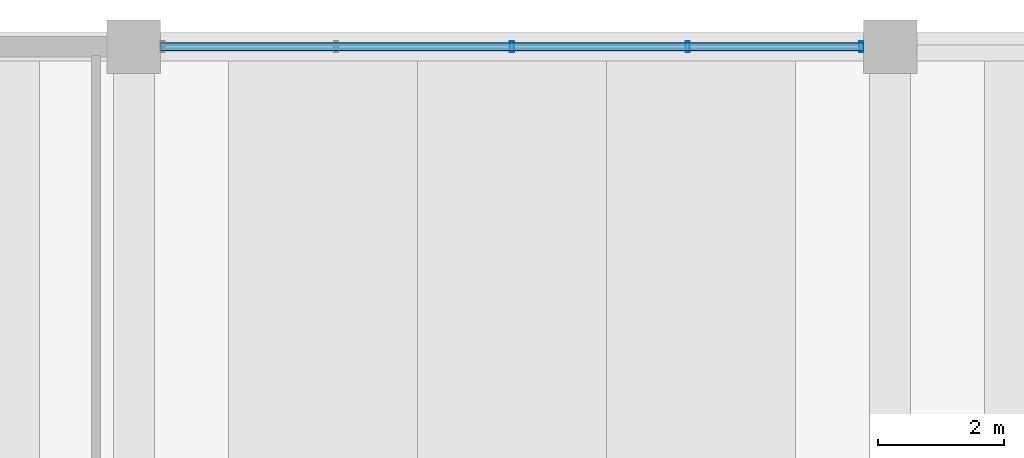
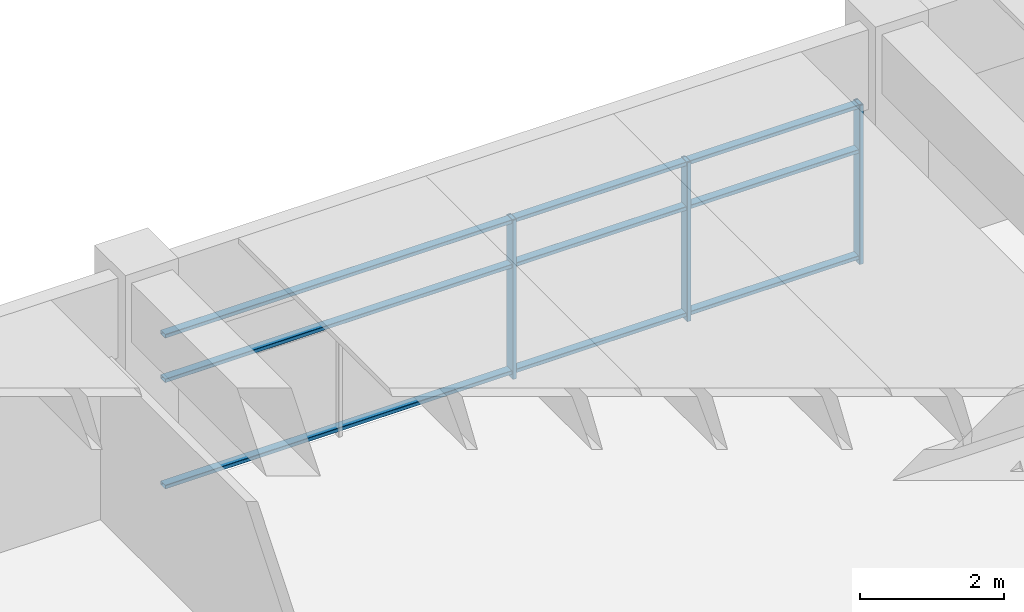
# One storey, part 19 of 50: 6 members, 1 element without a shape of its own.
"""IFC4 building model written with IfcOpenShell, lengths in metres."""

from ifc_helpers import new_model, si_unit, direction, frame, origin, origin_2d, place, context, subcontext, project, spatial, hollow_rectangle, extrude, material, material_profile, profile_set, type_object, element, aggregate, save


model = new_model("IFC4")

# Units and contexts
model_context = context("Model", 3, precision=1e-05, world=origin(), true_north=direction((0.0, 1.0)))
body_context = subcontext(model_context, "Body", "Model", "MODEL_VIEW")
ifc_project = project(units=[si_unit("LENGTHUNIT", "METRE"), si_unit("AREAUNIT", "SQUARE_METRE"), si_unit("VOLUMEUNIT", "CUBIC_METRE"), si_unit("PLANEANGLEUNIT", "RADIAN"), si_unit("MASSUNIT", "GRAM", prefix="KILO")], contexts=[model_context])

# Site, building, storey
site_placement = place(None, origin())
site = spatial("IfcSite", under=ifc_project, at=site_placement, CompositionType="ELEMENT")
building_placement = place(site_placement, origin())
building = spatial("IfcBuilding", under=site, at=building_placement, Name="Girod Span Mobility Hub", CompositionType="ELEMENT")
storey_placement = place(building_placement, frame((0.0, 0.0, 5.39990234375)))
storey = spatial("IfcBuildingStorey", under=building, at=storey_placement, Name="L01", CompositionType="ELEMENT", Elevation=5.39990234375)

# Curtain wall, members
ifc_material_1 = material(Name="Thermally Broken Anodised Aluminium", Category="aluminium")
curtain_wall_type = type_object("IfcCurtainWallType", Name="CW-1115X269", PredefinedType="USERDEFINED", material=ifc_material_1)
curtain_wall_placement = place(storey_placement, origin())
curtain_wall = element("IfcCurtainWall", 1, at=curtain_wall_placement, inside=storey, type_object=curtain_wall_type, Name="Concourse Storefront CW-L01-N06 L01", ObjectType="CONCOURSE STOREFRONT", PredefinedType="USERDEFINED")
ifc_material_2 = material(Name="Thermally Broken Anodised Aluminium", Category="aluminium")
ifc_material_profile_1 = material_profile(ifc_material_2, hollow_rectangle(XDim=0.179931640625, YDim=0.06494140625, WallThickness=0.00390625, InnerFilletRadius=0.00390625, OuterFilletRadius=0.008056640625, at=origin_2d()), Name="CW-ML-65X180")
ifc_profile_set_1 = profile_set([ifc_material_profile_1], Name="Thermally Broken Anodised Aluminium")
member_type_1 = type_object("IfcMemberType", Name="CWM-ML-2", PredefinedType="MULLION", material=ifc_profile_set_1)
member_1_placement = place(storey_placement, frame((66.0, 114.0, 0.0), z_axis=(0.0, 0.0, 1.0), x_axis=(0.0, 1.0, 0.0)))
member_1 = element("IfcMember", 2, at=member_1_placement, type_object=member_type_1, Name="Curtain Wall Mullion CW-L01-N06-M2", PredefinedType="MULLION", context=body_context, shape_type="SweptSolid", body=[
    extrude(hollow_rectangle(XDim=0.179931640625, YDim=0.06494140625, WallThickness=0.00390625, InnerFilletRadius=0.00390625, OuterFilletRadius=0.008056640625, at=origin_2d()), origin(), (0.0, 0.0, 1.0), 2.690185546875),
])
member_2_placement = place(storey_placement, frame((68.78857421875, 114.0, 0.0), z_axis=(0.0, 0.0, 1.0), x_axis=(0.0, 1.0, 0.0)))
member_2 = element("IfcMember", 3, at=member_2_placement, type_object=member_type_1, Name="Curtain Wall Mullion CW-L01-N06-M3", PredefinedType="MULLION", context=body_context, shape_type="SweptSolid", body=[
    extrude(hollow_rectangle(XDim=0.179931640625, YDim=0.06494140625, WallThickness=0.00390625, InnerFilletRadius=0.00390625, OuterFilletRadius=0.008056640625, at=origin_2d()), origin(), (0.0, 0.0, 1.0), 2.690185546875),
])
member_3_placement = place(storey_placement, frame((71.544921875, 114.0, 0.0), z_axis=(0.0, 0.0, 1.0), x_axis=(0.0, 1.0, 0.0)))
member_3 = element("IfcMember", 4, at=member_3_placement, type_object=member_type_1, Name="Curtain Wall Mullion CW-L01-N06-M4", PredefinedType="MULLION", context=body_context, shape_type="SweptSolid", body=[
    extrude(hollow_rectangle(XDim=0.179931640625, YDim=0.06494140625, WallThickness=0.00390625, InnerFilletRadius=0.00390625, OuterFilletRadius=0.008056640625, at=origin_2d()), origin(), (0.0, 0.0, 1.0), 2.690185546875),
])
ifc_material_3 = material(Name="Thermally Broken Anodised Aluminium", Category="aluminium")
ifc_material_profile_2 = material_profile(ifc_material_3, hollow_rectangle(XDim=0.135009765625, YDim=0.06494140625, WallThickness=0.00390625, InnerFilletRadius=0.00390625, OuterFilletRadius=0.008056640625, at=origin_2d()), Name="CW-TR-65X135")
ifc_profile_set_2 = profile_set([ifc_material_profile_2], Name="Thermally Broken Anodised Aluminium")
member_type_2 = type_object("IfcMemberType", Name="CWM-TR-2", PredefinedType="USERDEFINED", material=ifc_profile_set_2)
member_4_placement = place(storey_placement, frame((60.423095703125, 114.0, 0.107666015625), z_axis=(1.0, 0.0, 0.0), x_axis=(0.0, 1.0, 0.0)))
member_4 = element("IfcMember", 5, at=member_4_placement, type_object=member_type_2, Name="Curtain Wall Transom CW-L01-N06-T1", ObjectType="TRANSOM", PredefinedType="USERDEFINED", context=body_context, shape_type="SweptSolid", body=[
    extrude(hollow_rectangle(XDim=0.135009765625, YDim=0.06494140625, WallThickness=0.00390625, InnerFilletRadius=0.00390625, OuterFilletRadius=0.008056640625, at=origin_2d()), origin(), (0.0, 0.0, 1.0), 11.15380859375),
])
member_5_placement = place(storey_placement, frame((60.423095703125, 114.0, 1.904296875), z_axis=(1.0, 0.0, 0.0), x_axis=(0.0, 1.0, 0.0)))
member_5 = element("IfcMember", 6, at=member_5_placement, type_object=member_type_2, Name="Curtain Wall Transom CW-L01-N06-T2", ObjectType="TRANSOM", PredefinedType="USERDEFINED", context=body_context, shape_type="SweptSolid", body=[
    extrude(hollow_rectangle(XDim=0.135009765625, YDim=0.06494140625, WallThickness=0.00390625, InnerFilletRadius=0.00390625, OuterFilletRadius=0.008056640625, at=origin_2d()), origin(), (0.0, 0.0, 1.0), 11.15380859375),
])
member_6_placement = place(storey_placement, frame((60.423095703125, 114.0, 2.65771484375), z_axis=(1.0, 0.0, 0.0), x_axis=(0.0, 1.0, 0.0)))
member_6 = element("IfcMember", 7, at=member_6_placement, type_object=member_type_2, Name="Curtain Wall Transom CW-L01-N06-T3", ObjectType="TRANSOM", PredefinedType="USERDEFINED", context=body_context, shape_type="SweptSolid", body=[
    extrude(hollow_rectangle(XDim=0.135009765625, YDim=0.06494140625, WallThickness=0.00390625, InnerFilletRadius=0.00390625, OuterFilletRadius=0.008056640625, at=origin_2d()), origin(), (0.0, 0.0, 1.0), 11.15380859375),
])
aggregate(curtain_wall, [member_1, member_2, member_3, member_4, member_5, member_6])

save(model, "model.ifc")
